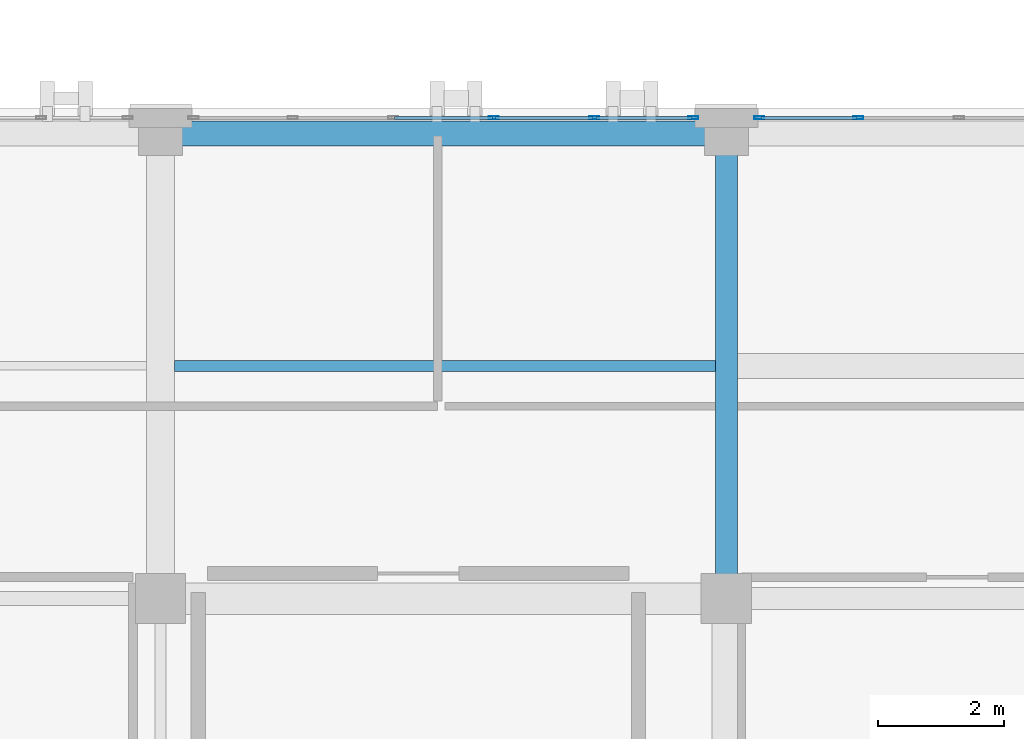
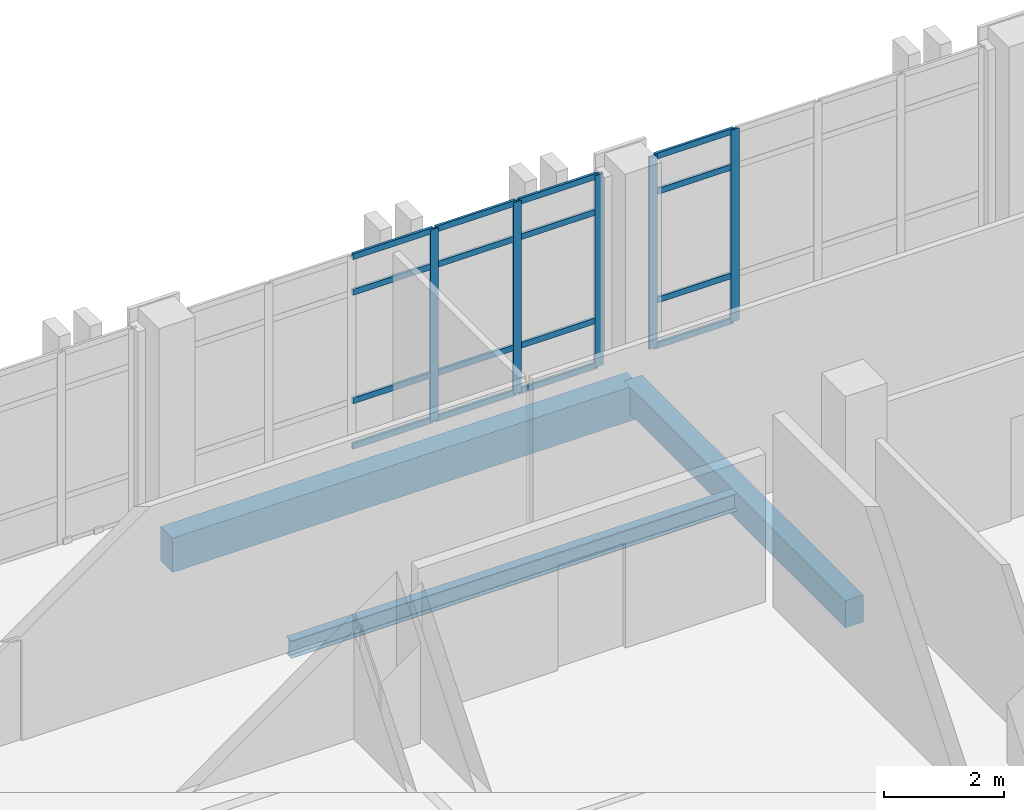
# One storey, part 57 of 193: 21 members, 3 beams, 2 elements without a shape of their own.
"""IFC4 building model written with IfcOpenShell, lengths in metres."""

from ifc_helpers import new_model, si_unit, direction, frame, origin, origin_2d, place, context, subcontext, project, spatial, rectangle, hollow_rectangle, i_section, extrude, material, layer, layer_set, material_profile, profile_set, type_object, element, aggregate, save


model = new_model("IFC4")

# Units and contexts
model_context = context("Model", 3, precision=1e-05, world=origin(), true_north=direction((0.0, 1.0)))
body_context = subcontext(model_context, "Body", "Model", "MODEL_VIEW")
ifc_project = project(units=[si_unit("LENGTHUNIT", "METRE"), si_unit("AREAUNIT", "SQUARE_METRE"), si_unit("VOLUMEUNIT", "CUBIC_METRE"), si_unit("PLANEANGLEUNIT", "RADIAN"), si_unit("MASSUNIT", "GRAM", prefix="KILO")], contexts=[model_context])

# Site, building, storey
site_placement = place(None, origin())
site = spatial("IfcSite", under=ifc_project, at=site_placement, CompositionType="ELEMENT")
building_placement = place(site_placement, origin())
building = spatial("IfcBuilding", under=site, at=building_placement, Name="Qalavern Law Courts", CompositionType="ELEMENT")
storey_placement = place(building_placement, frame((0.0, 0.0, 10.199951171875)))
storey = spatial("IfcBuildingStorey", under=building, at=storey_placement, Name="L02", CompositionType="ELEMENT", Elevation=10.199951171875)

# Curtain wall, members
ifc_material_1 = material(Name="Anodised aluminium and insulated glazing", Category="aluminium")
ifc_layer = layer(ifc_material_1, 0.172119140625)
ifc_layer_set = layer_set([ifc_layer], Name="Anodised aluminium and insulated glazing")
curtain_wall_type = type_object("IfcCurtainWallType", Name="ENV-CW-COURT", PredefinedType="USERDEFINED", material=ifc_layer_set)
curtain_wall_1_placement = place(storey_placement, origin())
curtain_wall_1 = element("IfcCurtainWall", 1, at=curtain_wall_1_placement, inside=storey, type_object=curtain_wall_type, Name="V6 unitised curtain wall L02 north 5", ObjectType="UNITISED CURTAIN WALL", PredefinedType="USERDEFINED")
ifc_material_2 = material(Name="Anodised aluminium", Category="aluminium")
ifc_material_profile_1 = material_profile(ifc_material_2, hollow_rectangle(XDim=0.048095703125, YDim=0.159912109375, WallThickness=0.00390625, at=origin_2d()), Name="ALU MULLION 48x160")
ifc_profile_set_1 = profile_set([ifc_material_profile_1], Name="Anodised aluminium")
member_type_1 = type_object("IfcMemberType", Name="ENV-CWM-48x160", PredefinedType="MULLION", material=ifc_profile_set_1)
member_1_placement = place(storey_placement, frame((128.89990234375, 22.445068359375, 0.0), z_axis=(0.0, 0.0, 1.0), x_axis=(0.0, -1.0, 0.0)))
member_1 = element("IfcMember", 2, at=member_1_placement, type_object=member_type_1, Name="CW-03 mullion 4", PredefinedType="MULLION", context=body_context, shape_type="SweptSolid", body=[
    extrude(hollow_rectangle(XDim=0.048095703125, YDim=0.159912109375, WallThickness=0.00390625, at=origin_2d()), origin(), (0.0, 0.0, 1.0), 3.9150390625),
])
member_2_placement = place(storey_placement, frame((127.323974609375, 22.445068359375, 0.0), z_axis=(0.0, 0.0, 1.0), x_axis=(0.0, -1.0, 0.0)))
member_2 = element("IfcMember", 3, at=member_2_placement, type_object=member_type_1, Name="CW-03 mullion 5", PredefinedType="MULLION", context=body_context, shape_type="SweptSolid", body=[
    extrude(hollow_rectangle(XDim=0.048095703125, YDim=0.159912109375, WallThickness=0.00390625, at=origin_2d()), origin(), (0.0, 0.0, 1.0), 3.9150390625),
])

curtain_wall_2_placement = place(storey_placement, origin())
curtain_wall_2 = element("IfcCurtainWall", 4, at=curtain_wall_2_placement, inside=storey, type_object=curtain_wall_type, Name="V6 unitised curtain wall L02 north 6", ObjectType="UNITISED CURTAIN WALL", PredefinedType="USERDEFINED")
member_3_placement = place(storey_placement, frame((126.27587890625, 22.445068359375, 0.0), z_axis=(0.0, 0.0, 1.0), x_axis=(0.0, -1.0, 0.0)))
member_3 = element("IfcMember", 5, at=member_3_placement, type_object=member_type_1, Name="CW-03 mullion 1", PredefinedType="MULLION", context=body_context, shape_type="SweptSolid", body=[
    extrude(hollow_rectangle(XDim=0.048095703125, YDim=0.159912109375, WallThickness=0.00390625, at=origin_2d()), origin(), (0.0, 0.0, 1.0), 3.9150390625),
])
member_4_placement = place(storey_placement, frame((124.699951171875, 22.445068359375, 0.0), z_axis=(0.0, 0.0, 1.0), x_axis=(0.0, -1.0, 0.0)))
member_4 = element("IfcMember", 6, at=member_4_placement, type_object=member_type_1, Name="CW-03 mullion 2", PredefinedType="MULLION", context=body_context, shape_type="SweptSolid", body=[
    extrude(hollow_rectangle(XDim=0.048095703125, YDim=0.159912109375, WallThickness=0.00390625, at=origin_2d()), origin(), (0.0, 0.0, 1.0), 3.9150390625),
])
member_5_placement = place(storey_placement, frame((123.10009765625, 22.445068359375, 0.0), z_axis=(0.0, 0.0, 1.0), x_axis=(0.0, -1.0, 0.0)))
member_5 = element("IfcMember", 7, at=member_5_placement, type_object=member_type_1, Name="CW-03 mullion 3", PredefinedType="MULLION", context=body_context, shape_type="SweptSolid", body=[
    extrude(hollow_rectangle(XDim=0.048095703125, YDim=0.159912109375, WallThickness=0.00390625, at=origin_2d()), origin(), (0.0, 0.0, 1.0), 3.9150390625),
])

# Member
ifc_material_profile_2 = material_profile(ifc_material_2, hollow_rectangle(XDim=0.048095703125, YDim=0.1201171875, WallThickness=0.00390625, at=origin_2d()), Name="ALU TRANSOM 48x120")
ifc_profile_set_2 = profile_set([ifc_material_profile_2], Name="Anodised aluminium")
member_type_2 = type_object("IfcMemberType", Name="ENV-CWT-48x120", PredefinedType="USERDEFINED", material=ifc_profile_set_2)
member_6_placement = place(storey_placement, frame((128.8759765625, 22.445068359375, 0.024169921875), z_axis=(-1.0, 0.0, 0.0), x_axis=(0.0, -1.0, 0.0)))
member_6 = element("IfcMember", 8, at=member_6_placement, type_object=member_type_2, Name="CW-03 transom 4.1", ObjectType="TRANSOM", PredefinedType="USERDEFINED", context=body_context, shape_type="SweptSolid", body=[
    extrude(hollow_rectangle(XDim=0.048095703125, YDim=0.1201171875, WallThickness=0.00390625, at=origin_2d()), origin(), (0.0, 0.0, 1.0), 1.528076171875),
])

member_7_placement = place(storey_placement, frame((128.8759765625, 22.445068359375, 0.949951171875), z_axis=(-1.0, 0.0, 0.0), x_axis=(0.0, -1.0, 0.0)))
member_7 = element("IfcMember", 9, at=member_7_placement, type_object=member_type_2, Name="CW-03 transom 4.2", ObjectType="TRANSOM", PredefinedType="USERDEFINED", context=body_context, shape_type="SweptSolid", body=[
    extrude(hollow_rectangle(XDim=0.048095703125, YDim=0.1201171875, WallThickness=0.00390625, at=origin_2d()), origin(), (0.0, 0.0, 1.0), 1.528076171875),
])

member_8_placement = place(storey_placement, frame((128.8759765625, 22.445068359375, 3.1650390625), z_axis=(-1.0, 0.0, 0.0), x_axis=(0.0, -1.0, 0.0)))
member_8 = element("IfcMember", 10, at=member_8_placement, type_object=member_type_2, Name="CW-03 transom 4.3", ObjectType="TRANSOM", PredefinedType="USERDEFINED", context=body_context, shape_type="SweptSolid", body=[
    extrude(hollow_rectangle(XDim=0.048095703125, YDim=0.1201171875, WallThickness=0.00390625, at=origin_2d()), origin(), (0.0, 0.0, 1.0), 1.528076171875),
])

member_9_placement = place(storey_placement, frame((128.8759765625, 22.445068359375, 3.89111328125), z_axis=(-1.0, 0.0, 0.0), x_axis=(0.0, -1.0, 0.0)))
member_9 = element("IfcMember", 11, at=member_9_placement, type_object=member_type_2, Name="CW-03 transom 4.4", ObjectType="TRANSOM", PredefinedType="USERDEFINED", context=body_context, shape_type="SweptSolid", body=[
    extrude(hollow_rectangle(XDim=0.048095703125, YDim=0.1201171875, WallThickness=0.00390625, at=origin_2d()), origin(), (0.0, 0.0, 1.0), 1.528076171875),
])

aggregate(curtain_wall_1, [member_1, member_2, member_6, member_7, member_8, member_9])

member_10_placement = place(storey_placement, frame((126.251953125, 22.445068359375, 0.024169921875), z_axis=(-1.0, 0.0, 0.0), x_axis=(0.0, -1.0, 0.0)))
member_10 = element("IfcMember", 12, at=member_10_placement, type_object=member_type_2, Name="CW-03 transom 1.1", ObjectType="TRANSOM", PredefinedType="USERDEFINED", context=body_context, shape_type="SweptSolid", body=[
    extrude(hollow_rectangle(XDim=0.048095703125, YDim=0.1201171875, WallThickness=0.00390625, at=origin_2d()), origin(), (0.0, 0.0, 1.0), 1.52783203125),
])

member_11_placement = place(storey_placement, frame((126.251953125, 22.445068359375, 0.949951171875), z_axis=(-1.0, 0.0, 0.0), x_axis=(0.0, -1.0, 0.0)))
member_11 = element("IfcMember", 13, at=member_11_placement, type_object=member_type_2, Name="CW-03 transom 1.2", ObjectType="TRANSOM", PredefinedType="USERDEFINED", context=body_context, shape_type="SweptSolid", body=[
    extrude(hollow_rectangle(XDim=0.048095703125, YDim=0.1201171875, WallThickness=0.00390625, at=origin_2d()), origin(), (0.0, 0.0, 1.0), 1.52783203125),
])

member_12_placement = place(storey_placement, frame((126.251953125, 22.445068359375, 3.1650390625), z_axis=(-1.0, 0.0, 0.0), x_axis=(0.0, -1.0, 0.0)))
member_12 = element("IfcMember", 14, at=member_12_placement, type_object=member_type_2, Name="CW-03 transom 1.3", ObjectType="TRANSOM", PredefinedType="USERDEFINED", context=body_context, shape_type="SweptSolid", body=[
    extrude(hollow_rectangle(XDim=0.048095703125, YDim=0.1201171875, WallThickness=0.00390625, at=origin_2d()), origin(), (0.0, 0.0, 1.0), 1.52783203125),
])

member_13_placement = place(storey_placement, frame((126.251953125, 22.445068359375, 3.89111328125), z_axis=(-1.0, 0.0, 0.0), x_axis=(0.0, -1.0, 0.0)))
member_13 = element("IfcMember", 15, at=member_13_placement, type_object=member_type_2, Name="CW-03 transom 1.4", ObjectType="TRANSOM", PredefinedType="USERDEFINED", context=body_context, shape_type="SweptSolid", body=[
    extrude(hollow_rectangle(XDim=0.048095703125, YDim=0.1201171875, WallThickness=0.00390625, at=origin_2d()), origin(), (0.0, 0.0, 1.0), 1.52783203125),
])

member_14_placement = place(storey_placement, frame((124.676025390625, 22.445068359375, 0.024169921875), z_axis=(-1.0, 0.0, 0.0), x_axis=(0.0, -1.0, 0.0)))
member_14 = element("IfcMember", 16, at=member_14_placement, type_object=member_type_2, Name="CW-03 transom 2.1", ObjectType="TRANSOM", PredefinedType="USERDEFINED", context=body_context, shape_type="SweptSolid", body=[
    extrude(hollow_rectangle(XDim=0.048095703125, YDim=0.1201171875, WallThickness=0.00390625, at=origin_2d()), origin(), (0.0, 0.0, 1.0), 1.552001953125),
])

member_15_placement = place(storey_placement, frame((124.676025390625, 22.445068359375, 0.949951171875), z_axis=(-1.0, 0.0, 0.0), x_axis=(0.0, -1.0, 0.0)))
member_15 = element("IfcMember", 17, at=member_15_placement, type_object=member_type_2, Name="CW-03 transom 2.2", ObjectType="TRANSOM", PredefinedType="USERDEFINED", context=body_context, shape_type="SweptSolid", body=[
    extrude(hollow_rectangle(XDim=0.048095703125, YDim=0.1201171875, WallThickness=0.00390625, at=origin_2d()), origin(), (0.0, 0.0, 1.0), 1.552001953125),
])

member_16_placement = place(storey_placement, frame((124.676025390625, 22.445068359375, 3.1650390625), z_axis=(-1.0, 0.0, 0.0), x_axis=(0.0, -1.0, 0.0)))
member_16 = element("IfcMember", 18, at=member_16_placement, type_object=member_type_2, Name="CW-03 transom 2.3", ObjectType="TRANSOM", PredefinedType="USERDEFINED", context=body_context, shape_type="SweptSolid", body=[
    extrude(hollow_rectangle(XDim=0.048095703125, YDim=0.1201171875, WallThickness=0.00390625, at=origin_2d()), origin(), (0.0, 0.0, 1.0), 1.552001953125),
])

member_17_placement = place(storey_placement, frame((124.676025390625, 22.445068359375, 3.89111328125), z_axis=(-1.0, 0.0, 0.0), x_axis=(0.0, -1.0, 0.0)))
member_17 = element("IfcMember", 19, at=member_17_placement, type_object=member_type_2, Name="CW-03 transom 2.4", ObjectType="TRANSOM", PredefinedType="USERDEFINED", context=body_context, shape_type="SweptSolid", body=[
    extrude(hollow_rectangle(XDim=0.048095703125, YDim=0.1201171875, WallThickness=0.00390625, at=origin_2d()), origin(), (0.0, 0.0, 1.0), 1.552001953125),
])

member_18_placement = place(storey_placement, frame((123.075927734375, 22.445068359375, 0.024169921875), z_axis=(-1.0, 0.0, 0.0), x_axis=(0.0, -1.0, 0.0)))
member_18 = element("IfcMember", 20, at=member_18_placement, type_object=member_type_2, Name="CW-03 transom 3.1", ObjectType="TRANSOM", PredefinedType="USERDEFINED", context=body_context, shape_type="SweptSolid", body=[
    extrude(hollow_rectangle(XDim=0.048095703125, YDim=0.1201171875, WallThickness=0.00390625, at=origin_2d()), origin(), (0.0, 0.0, 1.0), 1.552001953125),
])

member_19_placement = place(storey_placement, frame((123.075927734375, 22.445068359375, 0.949951171875), z_axis=(-1.0, 0.0, 0.0), x_axis=(0.0, -1.0, 0.0)))
member_19 = element("IfcMember", 21, at=member_19_placement, type_object=member_type_2, Name="CW-03 transom 3.2", ObjectType="TRANSOM", PredefinedType="USERDEFINED", context=body_context, shape_type="SweptSolid", body=[
    extrude(hollow_rectangle(XDim=0.048095703125, YDim=0.1201171875, WallThickness=0.00390625, at=origin_2d()), origin(), (0.0, 0.0, 1.0), 1.552001953125),
])

member_20_placement = place(storey_placement, frame((123.075927734375, 22.445068359375, 3.1650390625), z_axis=(-1.0, 0.0, 0.0), x_axis=(0.0, -1.0, 0.0)))
member_20 = element("IfcMember", 22, at=member_20_placement, type_object=member_type_2, Name="CW-03 transom 3.3", ObjectType="TRANSOM", PredefinedType="USERDEFINED", context=body_context, shape_type="SweptSolid", body=[
    extrude(hollow_rectangle(XDim=0.048095703125, YDim=0.1201171875, WallThickness=0.00390625, at=origin_2d()), origin(), (0.0, 0.0, 1.0), 1.552001953125),
])

member_21_placement = place(storey_placement, frame((123.075927734375, 22.445068359375, 3.89111328125), z_axis=(-1.0, 0.0, 0.0), x_axis=(0.0, -1.0, 0.0)))
member_21 = element("IfcMember", 23, at=member_21_placement, type_object=member_type_2, Name="CW-03 transom 3.4", ObjectType="TRANSOM", PredefinedType="USERDEFINED", context=body_context, shape_type="SweptSolid", body=[
    extrude(hollow_rectangle(XDim=0.048095703125, YDim=0.1201171875, WallThickness=0.00390625, at=origin_2d()), origin(), (0.0, 0.0, 1.0), 1.552001953125),
])

aggregate(curtain_wall_2, [member_3, member_4, member_5, member_10, member_11, member_12, member_13, member_14, member_15, member_16, member_17, member_18, member_19, member_20, member_21])

# Beams
ifc_material_3 = material(Name="Concrete C35/45", Category="concrete")
ifc_material_profile_3 = material_profile(ifc_material_3, rectangle(XDim=0.35009765625, YDim=0.550048828125, at=origin_2d()), Name="RC 350x550")
ifc_profile_set_3 = profile_set([ifc_material_profile_3], Name="Concrete C35/45")
beam_type_1 = type_object("IfcBeamType", Name="STR-BM-RC350x550", PredefinedType="BEAM", material=ifc_profile_set_3)
beam_1_placement = place(storey_placement, frame((126.800048828125, 14.800048828125, -0.56494140625), z_axis=(0.0, 1.0, 0.0), x_axis=(-1.0, 0.0, 0.0)))
element("IfcBeam", 24, at=beam_1_placement, inside=storey, type_object=beam_type_1, Name="V6 Y-beam 4-3 L02", PredefinedType="BEAM", context=body_context, shape_type="SweptSolid", body=[
    extrude(rectangle(XDim=0.35009765625, YDim=0.550048828125, at=origin_2d()), origin(), (0.0, 0.0, 1.0), 7.39990234375),
])
ifc_material_4 = material(Name="Steel S355", Category="steel")
ifc_material_profile_4 = material_profile(ifc_material_4, i_section(OverallWidth=0.169921875, OverallDepth=0.360107421875, WebThickness=0.008056640625, FlangeThickness=0.0126953125, FilletRadius=0.01806640625, at=origin_2d()), Name="IPE 360")
ifc_profile_set_4 = profile_set([ifc_material_profile_4], Name="Steel S355")
beam_type_2 = type_object("IfcBeamType", Name="STR-JST-IPE360", PredefinedType="JOIST", material=ifc_profile_set_4)
beam_2_placement = place(storey_placement, frame((118.02294921875, 18.5, -0.469970703125), z_axis=(1.0, 0.0, 0.0), x_axis=(0.0, 1.0, 0.0)))
element("IfcBeam", 25, at=beam_2_placement, inside=storey, type_object=beam_type_2, Name="V6 secondary joist 3.3.1 L02", PredefinedType="JOIST", context=body_context, shape_type="SweptSolid", body=[
    extrude(i_section(OverallWidth=0.169921875, OverallDepth=0.360107421875, WebThickness=0.008056640625, FlangeThickness=0.0126953125, FilletRadius=0.01806640625, at=origin_2d()), origin(), (0.0, 0.0, 1.0), 8.60400390625),
])
ifc_material_5 = material(Name="Concrete C40/50", Category="concrete")
ifc_material_profile_5 = material_profile(ifc_material_5, rectangle(XDim=0.39990234375, YDim=0.699951171875, at=origin_2d()), Name="RC 400x700")
ifc_profile_set_5 = profile_set([ifc_material_profile_5], Name="Concrete C40/50")
beam_type_3 = type_object("IfcBeamType", Name="STR-SP-RC400x700", PredefinedType="SPANDREL", material=ifc_profile_set_5)
beam_3_placement = place(storey_placement, frame((117.800048828125, 22.199951171875, -0.639892578125), z_axis=(1.0, 0.0, 0.0), x_axis=(0.0, 1.0, 0.0)))
element("IfcBeam", 26, at=beam_3_placement, inside=storey, type_object=beam_type_3, Name="V6 X-beam 4-3 L02", PredefinedType="SPANDREL", context=body_context, shape_type="SweptSolid", body=[
    extrude(rectangle(XDim=0.39990234375, YDim=0.699951171875, at=origin_2d()), origin(), (0.0, 0.0, 1.0), 9.0),
])

save(model, "model.ifc")
